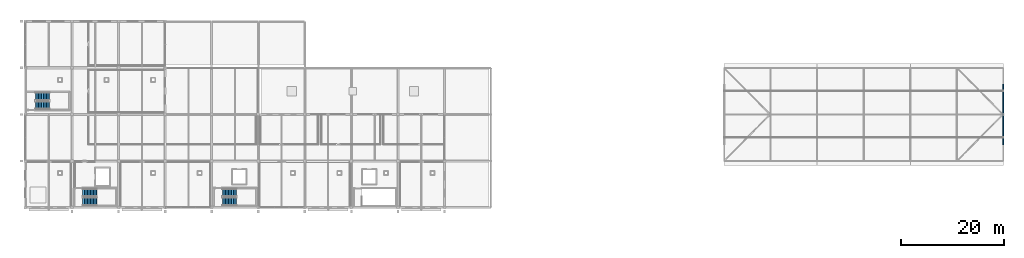
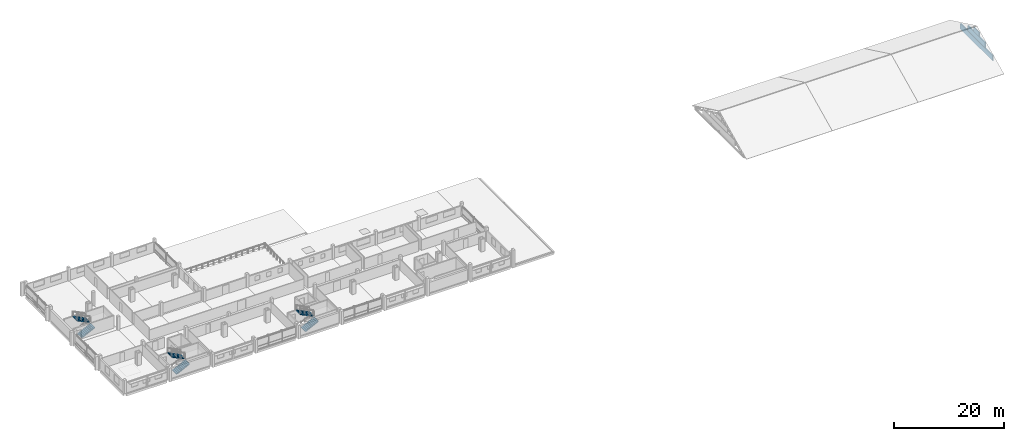
# One storey, part 22 of 25: 6 stair flights, 3 walls, 3 elements without a shape of their own.
"""IFC4 building model written with IfcOpenShell, lengths in metres."""

import ifcopenshell
import ifcopenshell.guid

model = None  # the IFC model being written
_history = None  # IfcOwnerHistory: only IFC2X3 demands one
_inside = {}  # id of a spatial element -> (the spatial element, [elements in it])
_under = {}  # id of a project, library or spatial element -> (it, [spatial elements below it])
_declared = {}  # id of a project -> (the project, [libraries it declares])
_typed = {}  # id of a type object -> (the type object, [elements of that type])
_made_of = {}  # id of a material, layer set ... -> (it, [elements and type objects made of it])


def new_model(schema):
    """Start an empty IFC model of exactly this schema.

    Asked for "IFC4X3", IfcOpenShell would pick the latest addendum, in which some entities
    have other attributes; the version numbers below select the first issue.
    IFC2X3 requires an IfcOwnerHistory on every rooted entity: one is made here for all.
    """
    global model, _history
    if schema == "IFC4X3":
        model = ifcopenshell.file(schema_version=(4, 3, 0, 0))
    else:
        model = ifcopenshell.file(schema=schema)
    _inside.clear()
    _under.clear()
    _declared.clear()
    _typed.clear()
    _made_of.clear()
    _history = None
    if model.schema == "IFC2X3":
        org = make("IfcOrganization", Name="unknown")
        user = make(
            "IfcPersonAndOrganization",
            ThePerson=make("IfcPerson", FamilyName="unknown"),
            TheOrganization=org,
        )
        app = make(
            "IfcApplication",
            ApplicationDeveloper=org,
            Version="unknown",
            ApplicationFullName="unknown",
            ApplicationIdentifier="unknown",
        )
        _history = make(
            "IfcOwnerHistory",
            OwningUser=user,
            OwningApplication=app,
            ChangeAction="ADDED",
            CreationDate=0,
        )
    return model


def make(cls, **values):
    """One entity of the class cls with the attributes given. An attribute that is None is left unset."""
    return model.create_entity(
        cls, **{name: value for name, value in values.items() if value is not None}
    )


def rooted(cls, **values):
    """An entity with a GlobalId (a new one), such as an element, a storey or a relation."""
    return make(cls, GlobalId=ifcopenshell.guid.new(), OwnerHistory=_history, **values)


def si_unit(unit_type, name, prefix=None):
    """IfcSIUnit, for example si_unit("LENGTHUNIT", "METRE", prefix="MILLI")."""
    return make("IfcSIUnit", UnitType=unit_type, Prefix=prefix, Name=name)


def assignment(units):
    """IfcUnitAssignment: the units of a project."""
    return None if units is None else make("IfcUnitAssignment", Units=units)


def point(xyz):
    """IfcCartesianPoint."""
    return None if xyz is None else make("IfcCartesianPoint", Coordinates=xyz)


def direction(xyz):
    """IfcDirection."""
    return None if xyz is None else make("IfcDirection", DirectionRatios=xyz)


def frame(location, z_axis=None, x_axis=None):
    """IfcAxis2Placement3D, a coordinate frame: its origin and axes. An axis left out is left unset."""
    return make(
        "IfcAxis2Placement3D",
        Location=point(location),
        Axis=direction(z_axis),
        RefDirection=direction(x_axis),
    )


def frame_2d(location, x_axis=None):
    """IfcAxis2Placement2D, a coordinate frame in the plane: its origin and x axis."""
    return make(
        "IfcAxis2Placement2D", Location=point(location), RefDirection=direction(x_axis)
    )


def origin():
    """The frame at (0, 0, 0) with its axes left unset."""
    return frame((0.0, 0.0, 0.0))


def place(relative_to, where):
    """IfcLocalPlacement: puts the frame where relative to a parent placement (None: the world)."""
    return make(
        "IfcLocalPlacement", PlacementRelTo=relative_to, RelativePlacement=where
    )


def context(
    kind, dimensions, precision=None, world=None, true_north=None, identifier=None
):
    """IfcGeometricRepresentationContext, for example the 3D "Model" context."""
    return make(
        "IfcGeometricRepresentationContext",
        ContextIdentifier=identifier,
        ContextType=kind,
        CoordinateSpaceDimension=dimensions,
        Precision=precision,
        WorldCoordinateSystem=world,
        TrueNorth=true_north,
    )


def subcontext(parent, identifier, kind, view, scale=None):
    """IfcGeometricRepresentationSubContext, for example "Body" below "Model"."""
    return make(
        "IfcGeometricRepresentationSubContext",
        ContextIdentifier=identifier,
        ContextType=kind,
        ParentContext=parent,
        TargetScale=scale,
        TargetView=view,
    )


def project(units=None, contexts=None):
    """IfcProject with its units and contexts."""
    return rooted(
        "IfcProject",
        Name="project",
        RepresentationContexts=contexts,
        UnitsInContext=assignment(units),
    )


def spatial(cls, under=None, at=None, **own):
    """A site, building, storey or space (cls), placed at a placement, below another one or the project."""
    s = rooted(cls, ObjectPlacement=at, **own)
    if under is not None:
        _under.setdefault(under.id(), (under, []))[1].append(s)
    return s


def polyline(points):
    """IfcPolyline through the points."""
    return make("IfcPolyline", Points=[point(p) for p in points])


def profile(cls, at=None, kind="AREA", **sizes):
    """A parametric profile (cls). Its sizes go by their IFC names, for example OverallWidth=200.0."""
    return make(cls, ProfileType=kind, Position=at, **sizes)


def rectangle(**sizes):
    """IfcRectangleProfileDef."""
    return profile("IfcRectangleProfileDef", **sizes)


def outline(outer, holes=None, kind="AREA"):
    """IfcArbitraryClosedProfileDef: a profile drawn as a closed curve; with holes, ...WithVoids."""
    if holes is None:
        return make("IfcArbitraryClosedProfileDef", ProfileType=kind, OuterCurve=outer)
    return make(
        "IfcArbitraryProfileDefWithVoids",
        ProfileType=kind,
        OuterCurve=outer,
        InnerCurves=holes,
    )


def extrude(swept, where, along, depth):
    """IfcExtrudedAreaSolid: the profile swept, set in the frame where, extruded along a direction by depth."""
    return make(
        "IfcExtrudedAreaSolid",
        SweptArea=swept,
        Position=where,
        ExtrudedDirection=direction(along),
        Depth=depth,
    )


def shape(context_of_items, identifier, shape_type, items):
    """IfcShapeRepresentation: the items that make up one representation, for example the "Body"."""
    return make(
        "IfcShapeRepresentation",
        ContextOfItems=context_of_items,
        RepresentationIdentifier=identifier,
        RepresentationType=shape_type,
        Items=items,
    )


def material(Name=None, Category=None):
    """IfcMaterial."""
    return make("IfcMaterial", Name=Name, Category=Category)


def layer(
    of_material, thickness, ventilated=None, Name=None, Category=None, Priority=None
):
    """IfcMaterialLayer: one layer of a wall or slab, of a material (None: an air gap)."""
    return make(
        "IfcMaterialLayer",
        Material=of_material,
        LayerThickness=thickness,
        IsVentilated=ventilated,
        Name=Name,
        Category=Category,
        Priority=Priority,
    )


def layer_set(layers, Name=None):
    """IfcMaterialLayerSet."""
    return make("IfcMaterialLayerSet", MaterialLayers=layers, LayerSetName=Name)


def made_of(thing, what):
    """Note that an element or type object is made of a material, layer set ...; save() writes the relation."""
    if what is not None:
        _made_of.setdefault(what.id(), (what, []))[1].append(thing)
    return thing


def type_object(cls, material=None, **own):
    """A type object (cls), such as IfcWallType, which elements share."""
    return made_of(rooted(cls, **own), material)


def element(
    cls,
    number,
    at=None,
    inside=None,
    cuts=None,
    type_object=None,
    material=None,
    context=None,
    identifier="Body",
    shape_type=None,
    held_by="IfcProductDefinitionShape",
    body=None,
    shapes=None,
    **own,
):
    """One element of the class cls, such as IfcWall. Its Tag is "e" and its number.

    at: its placement. inside: the storey or other place that contains it. cuts: it is an
    opening in that element (IfcRelVoidsElement). A single representation is given by context,
    identifier, shape_type and body (its items); several are given by shapes. held_by: the class
    of the entity that holds the representations. save() writes the other relations.
    """
    e = rooted(cls, Tag="e%d" % number, ObjectPlacement=at, **own)
    if body is not None:
        shapes = [shape(context, identifier, shape_type, body)]
    if shapes is not None:
        e.Representation = make(held_by, Representations=shapes)
    if inside is not None:
        _inside.setdefault(inside.id(), (inside, []))[1].append(e)
    if cuts is not None:
        rooted(
            "IfcRelVoidsElement", RelatingBuildingElement=cuts, RelatedOpeningElement=e
        )
    if type_object is not None:
        _typed.setdefault(type_object.id(), (type_object, []))[1].append(e)
    return made_of(e, material)


def aggregate(whole, parts):
    """IfcRelAggregates: a whole, such as a stair, and the parts it consists of."""
    return rooted("IfcRelAggregates", RelatingObject=whole, RelatedObjects=parts)


def save(model, path):
    """Write the relations noted so far, then the file.

    IfcRelAggregates (storeys below a building ...), IfcRelContainedInSpatialStructure (elements
    in a storey), IfcRelDefinesByType, IfcRelAssociatesMaterial and IfcRelDeclares: one each for
    every whole, place, type object, material and project.
    """
    for whole, parts in _under.values():
        aggregate(whole, parts)
    for where, things in _inside.values():
        rooted(
            "IfcRelContainedInSpatialStructure",
            RelatedElements=things,
            RelatingStructure=where,
        )
    for kind, things in _typed.values():
        rooted("IfcRelDefinesByType", RelatedObjects=things, RelatingType=kind)
    for what, things in _made_of.values():
        rooted("IfcRelAssociatesMaterial", RelatedObjects=things, RelatingMaterial=what)
    for by, libraries in _declared.values():
        rooted("IfcRelDeclares", RelatingContext=by, RelatedDefinitions=libraries)
    model.write(path)


model = new_model("IFC4")

# Units and contexts
model_context = context("Model", 3, precision=1e-05, world=origin(), true_north=direction((0.0, 1.0)))
body_context = subcontext(model_context, "Body", "Model", "MODEL_VIEW")
ifc_project = project(units=[si_unit("LENGTHUNIT", "METRE"), si_unit("AREAUNIT", "SQUARE_METRE"), si_unit("VOLUMEUNIT", "CUBIC_METRE"), si_unit("PLANEANGLEUNIT", "RADIAN"), si_unit("MASSUNIT", "GRAM", prefix="KILO")], contexts=[model_context])

# Site, building, storey
site_placement = place(None, origin())
site = spatial("IfcSite", under=ifc_project, at=site_placement, CompositionType="ELEMENT")
building_placement = place(site_placement, origin())
building = spatial("IfcBuilding", under=site, at=building_placement, Name="Tharagai Park Tramway Depot", CompositionType="ELEMENT")
storey_placement = place(building_placement, frame((0.0, 0.0, 12.0)))
storey = spatial("IfcBuildingStorey", under=building, at=storey_placement, Name="L03", CompositionType="ELEMENT", Elevation=12.0)

# Walls
ifc_material_1 = material(Name="Charnockite stone", Category="masonry")
ifc_layer = layer(ifc_material_1, 0.199951171875)
ifc_layer_set = layer_set([ifc_layer], Name="Charnockite stone")
wall_type = type_object("IfcWallType", Name="PRW-01", PredefinedType="PARAPET", material=ifc_layer_set)
wall_1_placement = place(storey_placement, frame((189.0, 12.1298828125, 0.080078125), z_axis=(0.0, 0.0, 1.0), x_axis=(0.0, 1.0, 0.0)))
element("IfcWall", 1, at=wall_1_placement, inside=storey, type_object=wall_type, Name="V5 Gothic Gable Tympanum Parapet Course 1", PredefinedType="PARAPET", context=body_context, shape_type="SweptSolid", body=[
    extrude(rectangle(XDim=11.740234375, YDim=0.199951171875, at=frame_2d((5.8701171875, 0.0))), origin(), (0.0, 0.0, 1.0), 1.197998046875),
])
wall_2_placement = place(storey_placement, frame((189.0, 14.830078125, 1.318115234375), z_axis=(0.0, 0.0, 1.0), x_axis=(0.0, 1.0, 0.0)))
element("IfcWall", 2, at=wall_2_placement, inside=storey, type_object=wall_type, Name="V5 Gothic Gable Tympanum Parapet Course 2", PredefinedType="PARAPET", context=body_context, shape_type="SweptSolid", body=[
    extrude(rectangle(XDim=6.33984375, YDim=0.199951171875, at=frame_2d((3.169921875, 0.0))), origin(), (0.0, 0.0, 1.0), 1.157958984375),
])
wall_3_placement = place(storey_placement, frame((189.0, 16.989990234375, 2.514892578125), z_axis=(0.0, 0.0, 1.0), x_axis=(0.0, 1.0, 0.0)))
element("IfcWall", 3, at=wall_3_placement, inside=storey, type_object=wall_type, Name="V5 Gothic Gable Tympanum Parapet Course 3", PredefinedType="PARAPET", context=body_context, shape_type="SweptSolid", body=[
    extrude(rectangle(XDim=2.02001953125, YDim=0.199951171875, at=frame_2d((1.010009765625, 0.0))), origin(), (0.0, 0.0, 1.0), 0.919189453125),
])

# Stair, stair flights
ifc_material_2 = material(Name="Concrete M35", Category="concrete")
stair_type = type_object("IfcStairType", Name="STT-02", PredefinedType="HALF_TURN_STAIR", material=ifc_material_2)
stair_1_placement = place(storey_placement, origin())
stair_1 = element("IfcStair", 4, at=stair_1_placement, inside=storey, type_object=stair_type, Name="L03 Protected Exit Stair ST-01", PredefinedType="HALF_TURN_STAIR")
stair_flight_type = type_object("IfcStairFlightType", Name="SFT-02", PredefinedType="STRAIGHT", material=ifc_material_2)
stair_flight_1_placement = place(storey_placement, frame((11.070068359375, 1.175048828125, 0.0), z_axis=(0.0, 0.0, 1.0), x_axis=(1.0, 0.0, 0.0)))
stair_flight_1 = element("IfcStairFlight", 5, at=stair_flight_1_placement, type_object=stair_flight_type, Name="ST-01 flight 1", NumberOfRisers=10, NumberOfTreads=9, PredefinedType="STRAIGHT", RiserHeight=0.15, TreadLength=0.3, context=body_context, shape_type="SweptSolid", body=[
    extrude(outline(polyline([(-0.02490234375, 0.0), (0.0, 0.14990234375), (0.300048828125, 0.14990234375), (0.300048828125, 0.300048828125), (0.60009765625, 0.300048828125), (0.60009765625, 0.449951171875), (0.89990234375, 0.449951171875), (0.89990234375, 0.60009765625), (1.199951171875, 0.60009765625), (1.199951171875, 0.75), (1.5, 0.75), (1.5, 0.89990234375), (1.800048828125, 0.89990234375), (1.800048828125, 1.050048828125), (2.10009765625, 1.050048828125), (2.10009765625, 1.199951171875), (2.39990234375, 1.199951171875), (2.39990234375, 1.35009765625), (2.699951171875, 1.35009765625), (2.699951171875, 1.5), (2.72509765625, 1.5), (2.72509765625, 1.182373046875), (0.335205078125, 0.0), (-0.02490234375, -0.0400390625), (-0.02490234375, 0.0)])), frame((0.0, 0.77490234375, 0.0), z_axis=(0.0, -1.0, 0.0), x_axis=(1.0, 0.0, 0.0)), (0.0, 0.0, 1.0), 1.550048828125),
])
stair_flight_2_placement = place(storey_placement, frame((13.77001953125, 2.875, 1.5), z_axis=(0.0, 0.0, 1.0), x_axis=(-1.0, 0.0, 0.0)))
stair_flight_2 = element("IfcStairFlight", 6, at=stair_flight_2_placement, type_object=stair_flight_type, Name="ST-01 flight 2", NumberOfRisers=10, NumberOfTreads=9, PredefinedType="STRAIGHT", RiserHeight=0.15, TreadLength=0.3, context=body_context, shape_type="SweptSolid", body=[
    extrude(outline(polyline([(-0.02490234375, 0.0), (0.0, 0.14990234375), (0.300048828125, 0.14990234375), (0.300048828125, 0.300048828125), (0.60009765625, 0.300048828125), (0.60009765625, 0.449951171875), (0.89990234375, 0.449951171875), (0.89990234375, 0.60009765625), (1.199951171875, 0.60009765625), (1.199951171875, 0.75), (1.5, 0.75), (1.5, 0.89990234375), (1.800048828125, 0.89990234375), (1.800048828125, 1.050048828125), (2.10009765625, 1.050048828125), (2.10009765625, 1.199951171875), (2.39990234375, 1.199951171875), (2.39990234375, 1.35009765625), (2.699951171875, 1.35009765625), (2.699951171875, 1.5), (2.72509765625, 1.5), (2.72509765625, 1.182373046875), (0.335205078125, 0.0), (-0.02490234375, -0.0400390625), (-0.02490234375, 0.0)])), frame((0.0, 0.77490234375, 0.0), z_axis=(0.0, -1.0, 0.0), x_axis=(1.0, 0.0, 0.0)), (0.0, 0.0, 1.0), 1.550048828125),
])
aggregate(stair_1, [stair_flight_1, stair_flight_2])

stair_2_placement = place(storey_placement, origin())
stair_2 = element("IfcStair", 7, at=stair_2_placement, inside=storey, type_object=stair_type, Name="L03 Protected Exit Stair ST-02", PredefinedType="HALF_TURN_STAIR")
stair_flight_3_placement = place(storey_placement, frame((38.070068359375, 1.175048828125, 0.0), z_axis=(0.0, 0.0, 1.0), x_axis=(1.0, 0.0, 0.0)))
stair_flight_3 = element("IfcStairFlight", 8, at=stair_flight_3_placement, type_object=stair_flight_type, Name="ST-02 flight 1", NumberOfRisers=10, NumberOfTreads=9, PredefinedType="STRAIGHT", RiserHeight=0.15, TreadLength=0.3, context=body_context, shape_type="SweptSolid", body=[
    extrude(outline(polyline([(-0.02490234375, 0.0), (0.0, 0.14990234375), (0.300048828125, 0.14990234375), (0.300048828125, 0.300048828125), (0.60009765625, 0.300048828125), (0.60009765625, 0.449951171875), (0.89990234375, 0.449951171875), (0.89990234375, 0.60009765625), (1.199951171875, 0.60009765625), (1.199951171875, 0.75), (1.5, 0.75), (1.5, 0.89990234375), (1.800048828125, 0.89990234375), (1.800048828125, 1.050048828125), (2.10009765625, 1.050048828125), (2.10009765625, 1.199951171875), (2.39990234375, 1.199951171875), (2.39990234375, 1.35009765625), (2.699951171875, 1.35009765625), (2.699951171875, 1.5), (2.72509765625, 1.5), (2.72509765625, 1.182373046875), (0.335205078125, 0.0), (-0.02490234375, -0.0400390625), (-0.02490234375, 0.0)])), frame((0.0, 0.77490234375, 0.0), z_axis=(0.0, -1.0, 0.0), x_axis=(1.0, 0.0, 0.0)), (0.0, 0.0, 1.0), 1.550048828125),
])
stair_flight_4_placement = place(storey_placement, frame((40.77001953125, 2.875, 1.5), z_axis=(0.0, 0.0, 1.0), x_axis=(-1.0, 0.0, 0.0)))
stair_flight_4 = element("IfcStairFlight", 9, at=stair_flight_4_placement, type_object=stair_flight_type, Name="ST-02 flight 2", NumberOfRisers=10, NumberOfTreads=9, PredefinedType="STRAIGHT", RiserHeight=0.15, TreadLength=0.3, context=body_context, shape_type="SweptSolid", body=[
    extrude(outline(polyline([(-0.02490234375, 0.0), (0.0, 0.14990234375), (0.300048828125, 0.14990234375), (0.300048828125, 0.300048828125), (0.60009765625, 0.300048828125), (0.60009765625, 0.449951171875), (0.89990234375, 0.449951171875), (0.89990234375, 0.60009765625), (1.199951171875, 0.60009765625), (1.199951171875, 0.75), (1.5, 0.75), (1.5, 0.89990234375), (1.800048828125, 0.89990234375), (1.800048828125, 1.050048828125), (2.10009765625, 1.050048828125), (2.10009765625, 1.199951171875), (2.39990234375, 1.199951171875), (2.39990234375, 1.35009765625), (2.699951171875, 1.35009765625), (2.699951171875, 1.5), (2.72509765625, 1.5), (2.72509765625, 1.182373046875), (0.335205078125, 0.0), (-0.02490234375, -0.0400390625), (-0.02490234375, 0.0)])), frame((0.0, 0.77490234375, 0.0), z_axis=(0.0, -1.0, 0.0), x_axis=(1.0, 0.0, 0.0)), (0.0, 0.0, 1.0), 1.550048828125),
])
aggregate(stair_2, [stair_flight_3, stair_flight_4])

stair_3_placement = place(storey_placement, origin())
stair_3 = element("IfcStair", 10, at=stair_3_placement, inside=storey, type_object=stair_type, Name="L03 Protected Exit Stair ST-03", PredefinedType="HALF_TURN_STAIR")
stair_flight_5_placement = place(storey_placement, frame((1.949951171875, 19.77490234375, 0.0), z_axis=(0.0, 0.0, 1.0), x_axis=(1.0, 0.0, 0.0)))
stair_flight_5 = element("IfcStairFlight", 11, at=stair_flight_5_placement, type_object=stair_flight_type, Name="ST-03 flight 1", NumberOfRisers=10, NumberOfTreads=9, PredefinedType="STRAIGHT", RiserHeight=0.15, TreadLength=0.3, context=body_context, shape_type="SweptSolid", body=[
    extrude(outline(polyline([(-0.02490234375, 0.0), (0.0, 0.14990234375), (0.300048828125, 0.14990234375), (0.300048828125, 0.300048828125), (0.60009765625, 0.300048828125), (0.60009765625, 0.449951171875), (0.89990234375, 0.449951171875), (0.89990234375, 0.60009765625), (1.199951171875, 0.60009765625), (1.199951171875, 0.75), (1.5, 0.75), (1.5, 0.89990234375), (1.800048828125, 0.89990234375), (1.800048828125, 1.050048828125), (2.10009765625, 1.050048828125), (2.10009765625, 1.199951171875), (2.39990234375, 1.199951171875), (2.39990234375, 1.35009765625), (2.699951171875, 1.35009765625), (2.699951171875, 1.5), (2.72509765625, 1.5), (2.72509765625, 1.182373046875), (0.335205078125, 0.0), (-0.02490234375, -0.0400390625), (-0.02490234375, 0.0)])), frame((0.0, 0.77490234375, 0.0), z_axis=(0.0, -1.0, 0.0), x_axis=(1.0, 0.0, 0.0)), (0.0, 0.0, 1.0), 1.550048828125),
])
stair_flight_6_placement = place(storey_placement, frame((4.64990234375, 21.47509765625, 1.5), z_axis=(0.0, 0.0, 1.0), x_axis=(-1.0, 0.0, 0.0)))
stair_flight_6 = element("IfcStairFlight", 12, at=stair_flight_6_placement, type_object=stair_flight_type, Name="ST-03 flight 2", NumberOfRisers=10, NumberOfTreads=9, PredefinedType="STRAIGHT", RiserHeight=0.15, TreadLength=0.3, context=body_context, shape_type="SweptSolid", body=[
    extrude(outline(polyline([(-0.02490234375, 0.0), (0.0, 0.14990234375), (0.300048828125, 0.14990234375), (0.300048828125, 0.300048828125), (0.60009765625, 0.300048828125), (0.60009765625, 0.449951171875), (0.89990234375, 0.449951171875), (0.89990234375, 0.60009765625), (1.199951171875, 0.60009765625), (1.199951171875, 0.75), (1.5, 0.75), (1.5, 0.89990234375), (1.800048828125, 0.89990234375), (1.800048828125, 1.050048828125), (2.10009765625, 1.050048828125), (2.10009765625, 1.199951171875), (2.39990234375, 1.199951171875), (2.39990234375, 1.35009765625), (2.699951171875, 1.35009765625), (2.699951171875, 1.5), (2.72509765625, 1.5), (2.72509765625, 1.182373046875), (0.335205078125, 0.0), (-0.02490234375, -0.0400390625), (-0.02490234375, 0.0)])), frame((0.0, 0.77490234375, 0.0), z_axis=(0.0, -1.0, 0.0), x_axis=(1.0, 0.0, 0.0)), (0.0, 0.0, 1.0), 1.550048828125),
])
aggregate(stair_3, [stair_flight_5, stair_flight_6])

save(model, "model.ifc")
